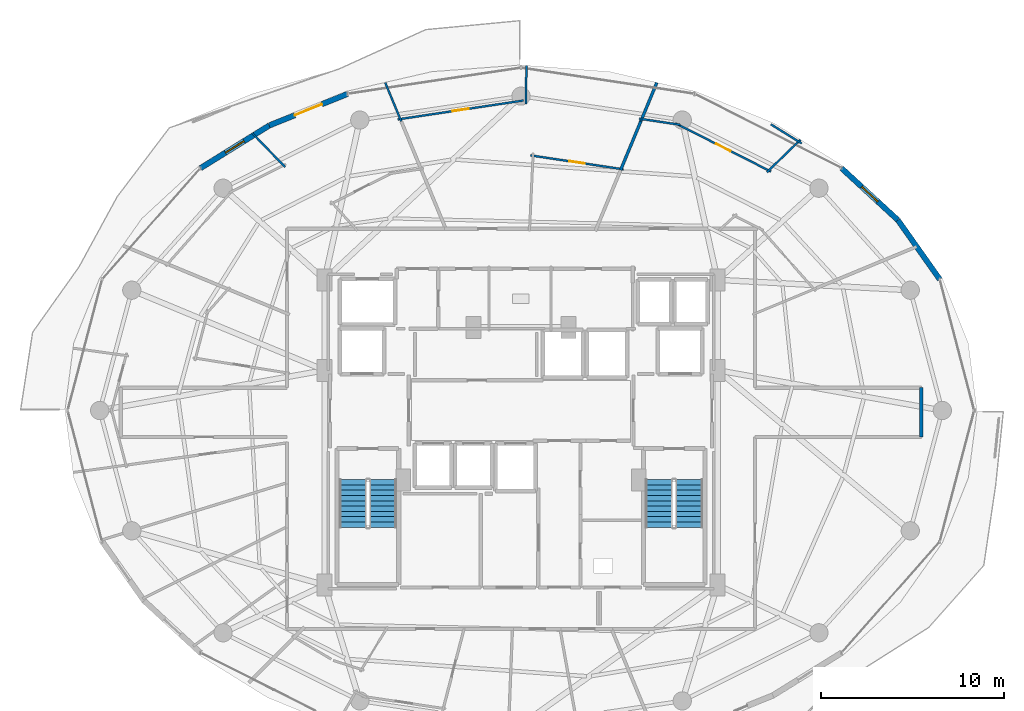
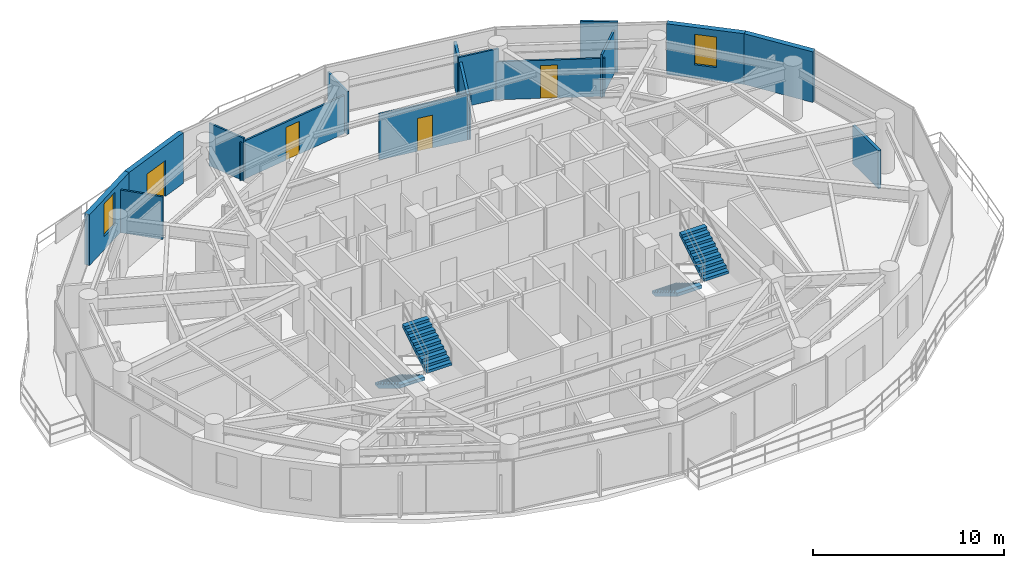
# One storey, part 25 of 29: 16 walls, 4 doors, 4 stair flights, 2 windows, 6 openings, 2 elements without a shape of their own.
"""IFC4 building model written with IfcOpenShell, lengths in metres."""

import ifcopenshell
import ifcopenshell.guid

model = None  # the IFC model being written
_history = None  # IfcOwnerHistory: only IFC2X3 demands one
_inside = {}  # id of a spatial element -> (the spatial element, [elements in it])
_under = {}  # id of a project, library or spatial element -> (it, [spatial elements below it])
_declared = {}  # id of a project -> (the project, [libraries it declares])
_typed = {}  # id of a type object -> (the type object, [elements of that type])
_made_of = {}  # id of a material, layer set ... -> (it, [elements and type objects made of it])


def new_model(schema):
    """Start an empty IFC model of exactly this schema.

    Asked for "IFC4X3", IfcOpenShell would pick the latest addendum, in which some entities
    have other attributes; the version numbers below select the first issue.
    IFC2X3 requires an IfcOwnerHistory on every rooted entity: one is made here for all.
    """
    global model, _history
    if schema == "IFC4X3":
        model = ifcopenshell.file(schema_version=(4, 3, 0, 0))
    else:
        model = ifcopenshell.file(schema=schema)
    _inside.clear()
    _under.clear()
    _declared.clear()
    _typed.clear()
    _made_of.clear()
    _history = None
    if model.schema == "IFC2X3":
        org = make("IfcOrganization", Name="unknown")
        user = make(
            "IfcPersonAndOrganization",
            ThePerson=make("IfcPerson", FamilyName="unknown"),
            TheOrganization=org,
        )
        app = make(
            "IfcApplication",
            ApplicationDeveloper=org,
            Version="unknown",
            ApplicationFullName="unknown",
            ApplicationIdentifier="unknown",
        )
        _history = make(
            "IfcOwnerHistory",
            OwningUser=user,
            OwningApplication=app,
            ChangeAction="ADDED",
            CreationDate=0,
        )
    return model


def make(cls, **values):
    """One entity of the class cls with the attributes given. An attribute that is None is left unset."""
    return model.create_entity(
        cls, **{name: value for name, value in values.items() if value is not None}
    )


def rooted(cls, **values):
    """An entity with a GlobalId (a new one), such as an element, a storey or a relation."""
    return make(cls, GlobalId=ifcopenshell.guid.new(), OwnerHistory=_history, **values)


def si_unit(unit_type, name, prefix=None):
    """IfcSIUnit, for example si_unit("LENGTHUNIT", "METRE", prefix="MILLI")."""
    return make("IfcSIUnit", UnitType=unit_type, Prefix=prefix, Name=name)


def assignment(units):
    """IfcUnitAssignment: the units of a project."""
    return None if units is None else make("IfcUnitAssignment", Units=units)


def point(xyz):
    """IfcCartesianPoint."""
    return None if xyz is None else make("IfcCartesianPoint", Coordinates=xyz)


def direction(xyz):
    """IfcDirection."""
    return None if xyz is None else make("IfcDirection", DirectionRatios=xyz)


def frame(location, z_axis=None, x_axis=None):
    """IfcAxis2Placement3D, a coordinate frame: its origin and axes. An axis left out is left unset."""
    return make(
        "IfcAxis2Placement3D",
        Location=point(location),
        Axis=direction(z_axis),
        RefDirection=direction(x_axis),
    )


def frame_2d(location, x_axis=None):
    """IfcAxis2Placement2D, a coordinate frame in the plane: its origin and x axis."""
    return make(
        "IfcAxis2Placement2D", Location=point(location), RefDirection=direction(x_axis)
    )


def origin():
    """The frame at (0, 0, 0) with its axes left unset."""
    return frame((0.0, 0.0, 0.0))


def place(relative_to, where):
    """IfcLocalPlacement: puts the frame where relative to a parent placement (None: the world)."""
    return make(
        "IfcLocalPlacement", PlacementRelTo=relative_to, RelativePlacement=where
    )


def context(
    kind, dimensions, precision=None, world=None, true_north=None, identifier=None
):
    """IfcGeometricRepresentationContext, for example the 3D "Model" context."""
    return make(
        "IfcGeometricRepresentationContext",
        ContextIdentifier=identifier,
        ContextType=kind,
        CoordinateSpaceDimension=dimensions,
        Precision=precision,
        WorldCoordinateSystem=world,
        TrueNorth=true_north,
    )


def subcontext(parent, identifier, kind, view, scale=None):
    """IfcGeometricRepresentationSubContext, for example "Body" below "Model"."""
    return make(
        "IfcGeometricRepresentationSubContext",
        ContextIdentifier=identifier,
        ContextType=kind,
        ParentContext=parent,
        TargetScale=scale,
        TargetView=view,
    )


def project(units=None, contexts=None):
    """IfcProject with its units and contexts."""
    return rooted(
        "IfcProject",
        Name="project",
        RepresentationContexts=contexts,
        UnitsInContext=assignment(units),
    )


def spatial(cls, under=None, at=None, **own):
    """A site, building, storey or space (cls), placed at a placement, below another one or the project."""
    s = rooted(cls, ObjectPlacement=at, **own)
    if under is not None:
        _under.setdefault(under.id(), (under, []))[1].append(s)
    return s


def polyline(points):
    """IfcPolyline through the points."""
    return make("IfcPolyline", Points=[point(p) for p in points])


def profile(cls, at=None, kind="AREA", **sizes):
    """A parametric profile (cls). Its sizes go by their IFC names, for example OverallWidth=200.0."""
    return make(cls, ProfileType=kind, Position=at, **sizes)


def rectangle(**sizes):
    """IfcRectangleProfileDef."""
    return profile("IfcRectangleProfileDef", **sizes)


def outline(outer, holes=None, kind="AREA"):
    """IfcArbitraryClosedProfileDef: a profile drawn as a closed curve; with holes, ...WithVoids."""
    if holes is None:
        return make("IfcArbitraryClosedProfileDef", ProfileType=kind, OuterCurve=outer)
    return make(
        "IfcArbitraryProfileDefWithVoids",
        ProfileType=kind,
        OuterCurve=outer,
        InnerCurves=holes,
    )


def extrude(swept, where, along, depth):
    """IfcExtrudedAreaSolid: the profile swept, set in the frame where, extruded along a direction by depth."""
    return make(
        "IfcExtrudedAreaSolid",
        SweptArea=swept,
        Position=where,
        ExtrudedDirection=direction(along),
        Depth=depth,
    )


def shape(context_of_items, identifier, shape_type, items):
    """IfcShapeRepresentation: the items that make up one representation, for example the "Body"."""
    return make(
        "IfcShapeRepresentation",
        ContextOfItems=context_of_items,
        RepresentationIdentifier=identifier,
        RepresentationType=shape_type,
        Items=items,
    )


def material(Name=None, Category=None):
    """IfcMaterial."""
    return make("IfcMaterial", Name=Name, Category=Category)


def layer(
    of_material, thickness, ventilated=None, Name=None, Category=None, Priority=None
):
    """IfcMaterialLayer: one layer of a wall or slab, of a material (None: an air gap)."""
    return make(
        "IfcMaterialLayer",
        Material=of_material,
        LayerThickness=thickness,
        IsVentilated=ventilated,
        Name=Name,
        Category=Category,
        Priority=Priority,
    )


def layer_set(layers, Name=None):
    """IfcMaterialLayerSet."""
    return make("IfcMaterialLayerSet", MaterialLayers=layers, LayerSetName=Name)


def made_of(thing, what):
    """Note that an element or type object is made of a material, layer set ...; save() writes the relation."""
    if what is not None:
        _made_of.setdefault(what.id(), (what, []))[1].append(thing)
    return thing


def type_object(cls, material=None, **own):
    """A type object (cls), such as IfcWallType, which elements share."""
    return made_of(rooted(cls, **own), material)


def element(
    cls,
    number,
    at=None,
    inside=None,
    cuts=None,
    type_object=None,
    material=None,
    context=None,
    identifier="Body",
    shape_type=None,
    held_by="IfcProductDefinitionShape",
    body=None,
    shapes=None,
    **own,
):
    """One element of the class cls, such as IfcWall. Its Tag is "e" and its number.

    at: its placement. inside: the storey or other place that contains it. cuts: it is an
    opening in that element (IfcRelVoidsElement). A single representation is given by context,
    identifier, shape_type and body (its items); several are given by shapes. held_by: the class
    of the entity that holds the representations. save() writes the other relations.
    """
    e = rooted(cls, Tag="e%d" % number, ObjectPlacement=at, **own)
    if body is not None:
        shapes = [shape(context, identifier, shape_type, body)]
    if shapes is not None:
        e.Representation = make(held_by, Representations=shapes)
    if inside is not None:
        _inside.setdefault(inside.id(), (inside, []))[1].append(e)
    if cuts is not None:
        rooted(
            "IfcRelVoidsElement", RelatingBuildingElement=cuts, RelatedOpeningElement=e
        )
    if type_object is not None:
        _typed.setdefault(type_object.id(), (type_object, []))[1].append(e)
    return made_of(e, material)


def fill(opening, filler):
    """IfcRelFillsElement: the door or window that sits in an opening."""
    return rooted(
        "IfcRelFillsElement",
        RelatingOpeningElement=opening,
        RelatedBuildingElement=filler,
    )


def aggregate(whole, parts):
    """IfcRelAggregates: a whole, such as a stair, and the parts it consists of."""
    return rooted("IfcRelAggregates", RelatingObject=whole, RelatedObjects=parts)


def save(model, path):
    """Write the relations noted so far, then the file.

    IfcRelAggregates (storeys below a building ...), IfcRelContainedInSpatialStructure (elements
    in a storey), IfcRelDefinesByType, IfcRelAssociatesMaterial and IfcRelDeclares: one each for
    every whole, place, type object, material and project.
    """
    for whole, parts in _under.values():
        aggregate(whole, parts)
    for where, things in _inside.values():
        rooted(
            "IfcRelContainedInSpatialStructure",
            RelatedElements=things,
            RelatingStructure=where,
        )
    for kind, things in _typed.values():
        rooted("IfcRelDefinesByType", RelatedObjects=things, RelatingType=kind)
    for what, things in _made_of.values():
        rooted("IfcRelAssociatesMaterial", RelatedObjects=things, RelatingMaterial=what)
    for by, libraries in _declared.values():
        rooted("IfcRelDeclares", RelatingContext=by, RelatedDefinitions=libraries)
    model.write(path)


model = new_model("IFC4")

# Units and contexts
model_context = context("Model", 3, precision=1e-05, world=origin(), true_north=direction((0.0, 1.0)))
body_context = subcontext(model_context, "Body", "Model", "MODEL_VIEW")
ifc_project = project(units=[si_unit("LENGTHUNIT", "METRE"), si_unit("AREAUNIT", "SQUARE_METRE"), si_unit("VOLUMEUNIT", "CUBIC_METRE"), si_unit("PLANEANGLEUNIT", "RADIAN"), si_unit("MASSUNIT", "GRAM", prefix="KILO")], contexts=[model_context])

# Site, building, storey
site_placement = place(None, origin())
site = spatial("IfcSite", under=ifc_project, at=site_placement, CompositionType="ELEMENT")
building_placement = place(site_placement, origin())
building = spatial("IfcBuilding", under=site, at=building_placement, Name="Vorneva Point Tower", CompositionType="ELEMENT")
storey_placement = place(building_placement, frame((0.0, 0.0, 167.60009765625)))
storey = spatial("IfcBuildingStorey", under=building, at=storey_placement, Name="L45", CompositionType="ELEMENT", Elevation=167.60009765625)

# Wall
ifc_material_1 = material(Name="Precast concrete B50 (C40/50)", Category="concrete")
ifc_layer_1 = layer(ifc_material_1, 0.300048828125)
ifc_layer_set_1 = layer_set([ifc_layer_1], Name="Precast concrete B50 (C40/50)")
wall_type_1 = type_object("IfcWallType", Name="WL-EXT-300", PredefinedType="STANDARD", material=ifc_layer_set_1)
wall_1_placement = place(storey_placement, frame((60.912109375, 33.17529296875, 0.0), z_axis=(0.0, 0.0, 1.0), x_axis=(-0.577269753207, 0.816553508371, 0.0)))
element("IfcWall", 1, at=wall_1_placement, inside=storey, type_object=wall_type_1, Name="L45 Pale-Metal Facade Spandrel Wall 02.1", PredefinedType="STANDARD", context=body_context, shape_type="SweptSolid", body=[
    extrude(rectangle(XDim=3.969970703125, YDim=0.300048828125, at=frame_2d((1.98486328125, 0.0))), origin(), (0.0, 0.0, 1.0), 3.239990234375),
])

# Wall, opening, window
wall_2_placement = place(storey_placement, frame((58.620361328125, 36.4169921875, 0.0), z_axis=(0.0, 0.0, 1.0), x_axis=(-0.735477154165, 0.677549522693, 0.0)))
wall_2 = element("IfcWall", 2, at=wall_2_placement, inside=storey, type_object=wall_type_1, Name="L45 Pale-Metal Facade Spandrel Wall 02.2", PredefinedType="STANDARD", context=body_context, shape_type="SweptSolid", body=[
    extrude(rectangle(XDim=4.193603515625, YDim=0.300048828125, at=frame_2d((2.0966796875, 0.0))), origin(), (0.0, 0.0, 1.0), 3.239990234375),
])
opening_1_placement = place(wall_2_placement, frame((1.496826171875, 0.0, 0.85009765625)))
opening_1 = element("IfcOpeningElement", 3, at=opening_1_placement, cuts=wall_2, Name="Opening W-04", PredefinedType="OPENING", context=body_context, shape_type="SweptSolid", body=[
    extrude(rectangle(XDim=1.199951171875, YDim=1.949951171875, at=frame_2d((0.60009765625, 0.97509765625))), frame((0.0, 0.1650390625, 0.0), z_axis=(0.0, -1.0, 0.0), x_axis=(1.0, 0.0, 0.0)), (0.0, 0.0, 1.0), 0.329833984375),
])
ifc_material_2 = material(Name="Double low-e laminated glass IGU", Category="glass")
window_type = type_object("IfcWindowType", Name="WN-RES-1200", PartitioningType="SINGLE_PANEL", PredefinedType="WINDOW", material=ifc_material_2)
window_1_placement = place(opening_1_placement, origin())
window_1 = element("IfcWindow", 4, at=window_1_placement, inside=storey, type_object=window_type, Name="L45 Dwelling Vision Window 01", OverallHeight=1.949951171875, OverallWidth=1.199951171875, PartitioningType="SINGLE_PANEL", PredefinedType="WINDOW", context=body_context, shape_type="SweptSolid", body=[
    extrude(rectangle(XDim=1.199951171875, YDim=1.949951171875, at=frame_2d((0.60009765625, 0.97509765625))), frame((0.0, 0.030029296875, 0.0), z_axis=(0.0, -1.0, 0.0), x_axis=(1.0, 0.0, 0.0)), (0.0, 0.0, 1.0), 0.06005859375),
])
fill(opening_1, window_1)

# Wall, opening, door
wall_3_placement = place(storey_placement, frame((28.509521484375, 43.32275390625, 0.0), z_axis=(0.0, 0.0, 1.0), x_axis=(-0.927156504392, -0.374674280359, 0.0)))
wall_3 = element("IfcWall", 5, at=wall_3_placement, inside=storey, type_object=wall_type_1, Name="L45 Pale-Metal Facade Spandrel Wall 06.1", PredefinedType="STANDARD", context=body_context, shape_type="SweptSolid", body=[
    extrude(rectangle(XDim=4.62451171875, YDim=0.300048828125, at=frame_2d((2.312255859375, 0.0))), origin(), (0.0, 0.0, 1.0), 3.239990234375),
])
opening_2_placement = place(wall_3_placement, frame((1.51220703125, 0.0, 0.0)))
opening_2 = element("IfcOpeningElement", 6, at=opening_2_placement, cuts=wall_3, Name="Opening BD-01", PredefinedType="OPENING", context=body_context, shape_type="SweptSolid", body=[
    extrude(rectangle(XDim=1.60009765625, YDim=2.300048828125, at=frame_2d((0.800048828125, 1.14990234375))), frame((0.0, 0.1650390625, 0.0), z_axis=(0.0, -1.0, 0.0), x_axis=(1.0, 0.0, 0.0)), (0.0, 0.0, 1.0), 0.329833984375),
])
ifc_material_3 = material(Name="Pale anodised aluminium", Category="aluminium")
door_type_1 = type_object("IfcDoorType", Name="DR-BAL-1600", OperationType="SLIDING_TO_LEFT", PredefinedType="DOOR", material=ifc_material_3)
door_1_placement = place(opening_2_placement, origin())
door_1 = element("IfcDoor", 7, at=door_1_placement, inside=storey, type_object=door_type_1, Name="L45 Balcony Terrace Access Door 06", OperationType="SLIDING_TO_LEFT", OverallHeight=2.300048828125, OverallWidth=1.60009765625, PredefinedType="DOOR", context=body_context, shape_type="SweptSolid", body=[
    extrude(rectangle(XDim=1.60009765625, YDim=2.300048828125, at=frame_2d((0.800048828125, 1.14990234375))), frame((0.0, 0.02490234375, 0.0), z_axis=(0.0, -1.0, 0.0), x_axis=(1.0, 0.0, 0.0)), (0.0, 0.0, 1.0), 0.050048828125),
])
fill(opening_2, door_1)

# Wall, opening, window
wall_4_placement = place(storey_placement, frame((24.221923828125, 41.590087890625, 0.0), z_axis=(0.0, 0.0, 1.0), x_axis=(-0.849721181976, -0.527232313977, 0.0)))
wall_4 = element("IfcWall", 8, at=wall_4_placement, inside=storey, type_object=wall_type_1, Name="L45 Pale-Metal Facade Spandrel Wall 06.2", PredefinedType="STANDARD", context=body_context, shape_type="SweptSolid", body=[
    extrude(rectangle(XDim=4.422607421875, YDim=0.300048828125, at=frame_2d((2.21142578125, 0.0))), origin(), (0.0, 0.0, 1.0), 3.239990234375),
])
opening_3_placement = place(wall_4_placement, frame((1.611328125, 0.0, 0.85009765625)))
opening_3 = element("IfcOpeningElement", 9, at=opening_3_placement, cuts=wall_4, Name="Opening W-04", PredefinedType="OPENING", context=body_context, shape_type="SweptSolid", body=[
    extrude(rectangle(XDim=1.199951171875, YDim=2.10009765625, at=frame_2d((0.60009765625, 1.050048828125))), frame((0.0, 0.1650390625, 0.0), z_axis=(0.0, -1.0, 0.0), x_axis=(1.0, 0.0, 0.0)), (0.0, 0.0, 1.0), 0.329833984375),
])
window_2_placement = place(opening_3_placement, origin())
window_2 = element("IfcWindow", 10, at=window_2_placement, inside=storey, type_object=window_type, Name="L45 Facade Window 06", OverallHeight=2.10009765625, OverallWidth=1.199951171875, PartitioningType="SINGLE_PANEL", PredefinedType="WINDOW", context=body_context, shape_type="SweptSolid", body=[
    extrude(rectangle(XDim=1.199951171875, YDim=2.10009765625, at=frame_2d((0.60009765625, 1.050048828125))), frame((0.0, 0.030029296875, 0.0), z_axis=(0.0, -1.0, 0.0), x_axis=(1.0, 0.0, 0.0)), (0.0, 0.0, 1.0), 0.06005859375),
])
fill(opening_3, window_2)

# Wall
ifc_material_4 = material(Name="Fire-rated acoustic gypsum stud partition", Category="gypsum")
ifc_layer_2 = layer(ifc_material_4, 0.110107421875)
ifc_layer_set_2 = layer_set([ifc_layer_2], Name="Fire-rated acoustic gypsum stud partition")
wall_type_2 = type_object("IfcWallType", Name="WL-PART-110", PredefinedType="PARTITIONING", material=ifc_layer_set_2)
wall_5_placement = place(storey_placement, frame((53.28564453125, 40.8125, 0.0), z_axis=(0.0, 0.0, 1.0), x_axis=(-0.718256654627, -0.69577825353, 0.0)))
element("IfcWall", 11, at=wall_5_placement, inside=storey, type_object=wall_type_2, Name="L45 Interior Partition 063", PredefinedType="PARTITIONING", context=body_context, shape_type="SweptSolid", body=[
    extrude(rectangle(XDim=2.55224609375, YDim=0.110107421875, at=frame_2d((1.276123046875, 0.0))), origin(), (0.0, 0.0, 1.0), 2.727783203125),
])

# Wall, opening, door
wall_6_placement = place(storey_placement, frame((51.677978515625, 39.07080078125, 0.0), z_axis=(0.0, 0.0, 1.0), x_axis=(-0.892519613246, 0.451008580818, 0.0)))
wall_6 = element("IfcWall", 12, at=wall_6_placement, inside=storey, type_object=wall_type_2, Name="L45 Interior Partition 064", PredefinedType="PARTITIONING", context=body_context, shape_type="SweptSolid", body=[
    extrude(rectangle(XDim=5.86083984375, YDim=0.110107421875, at=frame_2d((2.930419921875, 0.0))), origin(), (0.0, 0.0, 1.0), 2.431884765625),
])
opening_4_placement = place(wall_6_placement, frame((2.48046875, 0.0, 0.0)))
opening_4 = element("IfcOpeningElement", 13, at=opening_4_placement, cuts=wall_6, Name="Opening ID-01", PredefinedType="OPENING", context=body_context, shape_type="SweptSolid", body=[
    extrude(rectangle(XDim=0.89990234375, YDim=2.10009765625, at=frame_2d((0.449951171875, 1.050048828125))), frame((0.0, 0.06982421875, 0.0), z_axis=(0.0, -1.0, 0.0), x_axis=(1.0, 0.0, 0.0)), (0.0, 0.0, 1.0), 0.139892578125),
])
ifc_material_5 = material(Name="Engineered oak fire-rated door leaf", Category="wood")
door_type_2 = type_object("IfcDoorType", Name="DR-ROOM-900", OperationType="NOTDEFINED", PredefinedType="DOOR", material=ifc_material_5)
door_2_placement = place(opening_4_placement, origin())
door_2 = element("IfcDoor", 14, at=door_2_placement, inside=storey, type_object=door_type_2, Name="L45 Door Studio Apartment L45-01 / Kitchen L45-01", OperationType="SINGLE_SWING_RIGHT", OverallHeight=2.10009765625, OverallWidth=0.89990234375, PredefinedType="DOOR", context=body_context, shape_type="SweptSolid", body=[
    extrude(rectangle(XDim=0.89990234375, YDim=2.10009765625, at=frame_2d((0.449951171875, 1.050048828125))), frame((0.0, 0.02490234375, 0.0), z_axis=(0.0, -1.0, 0.0), x_axis=(1.0, 0.0, 0.0)), (0.0, 0.0, 1.0), 0.050048828125),
])
fill(opening_4, door_2)

# Walls
wall_7_placement = place(storey_placement, frame((46.71044921875, 41.630126953125, 0.0), z_axis=(0.0, 0.0, 1.0), x_axis=(-0.988930827604, 0.14837728335, 0.0)))
element("IfcWall", 15, at=wall_7_placement, inside=storey, type_object=wall_type_2, Name="L45 Interior Partition 065", PredefinedType="PARTITIONING", context=body_context, shape_type="SweptSolid", body=[
    extrude(rectangle(XDim=2.26904296875, YDim=0.110107421875, at=frame_2d((1.134521484375, 0.0))), origin(), (0.0, 0.0, 1.0), 3.239990234375),
])
wall_8_placement = place(storey_placement, frame((53.35498046875, 40.610107421875, 0.0), z_axis=(0.0, 0.0, 1.0), x_axis=(-0.8493331579, 0.527857165237, 0.0)))
element("IfcWall", 16, at=wall_8_placement, inside=storey, type_object=wall_type_2, Name="L45 Interior Partition 066", PredefinedType="PARTITIONING", context=body_context, shape_type="SweptSolid", body=[
    extrude(rectangle(XDim=1.97900390625, YDim=0.110107421875, at=frame_2d((0.989501953125, 0.0))), origin(), (0.0, 0.0, 1.0), 3.239990234375),
])

# Wall, opening, door
wall_9_placement = place(storey_placement, frame((38.5185546875, 39.957763671875, 0.0), z_axis=(0.0, 0.0, 1.0), x_axis=(0.988887618714, -0.14866498429, 0.0)))
wall_9 = element("IfcWall", 17, at=wall_9_placement, inside=storey, type_object=wall_type_2, Name="L45 Interior Partition 072", PredefinedType="PARTITIONING", context=body_context, shape_type="SweptSolid", body=[
    extrude(rectangle(XDim=5.14990234375, YDim=0.110107421875, at=frame_2d((2.574951171875, 0.0))), origin(), (0.0, 0.0, 1.0), 2.928955078125),
])
opening_5_placement = place(wall_9_placement, frame((2.14990234375, 0.0, 0.0)))
opening_5 = element("IfcOpeningElement", 18, at=opening_5_placement, cuts=wall_9, Name="Opening ID-02", PredefinedType="OPENING", context=body_context, shape_type="SweptSolid", body=[
    extrude(rectangle(XDim=0.85009765625, YDim=2.10009765625, at=frame_2d((0.425048828125, 1.050048828125))), frame((0.0, 0.06982421875, 0.0), z_axis=(0.0, -1.0, 0.0), x_axis=(1.0, 0.0, 0.0)), (0.0, 0.0, 1.0), 0.139892578125),
])
door_type_3 = type_object("IfcDoorType", Name="DR-BATH-850", OperationType="NOTDEFINED", PredefinedType="DOOR", material=ifc_material_5)
door_3_placement = place(opening_5_placement, origin())
door_3 = element("IfcDoor", 19, at=door_3_placement, inside=storey, type_object=door_type_3, Name="L45 Door Studio Apartment L45-02 / Bathroom L45-02", OperationType="SINGLE_SWING_LEFT", OverallHeight=2.10009765625, OverallWidth=0.85009765625, PredefinedType="DOOR", context=body_context, shape_type="SweptSolid", body=[
    extrude(rectangle(XDim=0.85009765625, YDim=2.10009765625, at=frame_2d((0.425048828125, 1.050048828125))), frame((0.0, 0.02490234375, 0.0), z_axis=(0.0, -1.0, 0.0), x_axis=(1.0, 0.0, 0.0)), (0.0, 0.0, 1.0), 0.050048828125),
])
fill(opening_5, door_3)

# Wall
wall_10_placement = place(storey_placement, frame((38.296142578125, 44.867919921875, 0.0), z_axis=(0.0, 0.0, 1.0), x_axis=(-0.015865503416, -0.99987413498, 0.0)))
element("IfcWall", 20, at=wall_10_placement, inside=storey, type_object=wall_type_2, Name="L45 Interior Partition 073", PredefinedType="PARTITIONING", context=body_context, shape_type="SweptSolid", body=[
    extrude(rectangle(XDim=2.108154296875, YDim=0.110107421875, at=frame_2d((1.05419921875, 0.0))), origin(), (0.0, 0.0, 1.0), 2.727783203125),
])

# Wall, opening, door
wall_11_placement = place(storey_placement, frame((38.138427734375, 42.960693359375, 0.0), z_axis=(0.0, 0.0, 1.0), x_axis=(-0.988870381513, -0.148779597275, 0.0)))
wall_11 = element("IfcWall", 21, at=wall_11_placement, inside=storey, type_object=wall_type_2, Name="L45 Interior Partition 074", PredefinedType="PARTITIONING", context=body_context, shape_type="SweptSolid", body=[
    extrude(rectangle(XDim=6.959228515625, YDim=0.110107421875, at=frame_2d((3.4794921875, 0.0))), origin(), (0.0, 0.0, 1.0), 2.431884765625),
])
opening_6_placement = place(wall_11_placement, frame((3.029541015625, 0.0, 0.0)))
opening_6 = element("IfcOpeningElement", 22, at=opening_6_placement, cuts=wall_11, Name="Opening ID-01", PredefinedType="OPENING", context=body_context, shape_type="SweptSolid", body=[
    extrude(rectangle(XDim=0.89990234375, YDim=2.10009765625, at=frame_2d((0.449951171875, 1.050048828125))), frame((0.0, 0.06982421875, 0.0), z_axis=(0.0, -1.0, 0.0), x_axis=(1.0, 0.0, 0.0)), (0.0, 0.0, 1.0), 0.139892578125),
])
door_4_placement = place(opening_6_placement, origin())
door_4 = element("IfcDoor", 23, at=door_4_placement, inside=storey, type_object=door_type_2, Name="L45 Door Studio Apartment L45-02 / Kitchen L45-02", OperationType="SINGLE_SWING_RIGHT", OverallHeight=2.10009765625, OverallWidth=0.89990234375, PredefinedType="DOOR", context=body_context, shape_type="SweptSolid", body=[
    extrude(rectangle(XDim=0.89990234375, YDim=2.10009765625, at=frame_2d((0.449951171875, 1.050048828125))), frame((0.0, 0.02490234375, 0.0), z_axis=(0.0, -1.0, 0.0), x_axis=(1.0, 0.0, 0.0)), (0.0, 0.0, 1.0), 0.050048828125),
])
fill(opening_6, door_4)

# Walls
wall_12_placement = place(storey_placement, frame((31.448486328125, 41.816650390625, 0.0), z_axis=(0.0, 0.0, 1.0), x_axis=(-0.382755897173, 0.923849513276, 0.0)))
element("IfcWall", 24, at=wall_12_placement, inside=storey, type_object=wall_type_2, Name="L45 Interior Partition 075", PredefinedType="PARTITIONING", context=body_context, shape_type="SweptSolid", body=[
    extrude(rectangle(XDim=2.29443359375, YDim=0.110107421875, at=frame_2d((1.147216796875, 0.0))), origin(), (0.0, 0.0, 1.0), 2.727783203125),
])
wall_13_placement = place(storey_placement, frame((23.294677734375, 41.174560546875, 0.0), z_axis=(0.0, 0.0, 1.0), x_axis=(0.695951614491, -0.718088678568, 0.0)))
element("IfcWall", 25, at=wall_13_placement, inside=storey, type_object=wall_type_2, Name="L45 Interior Partition 080", PredefinedType="PARTITIONING", context=body_context, shape_type="SweptSolid", body=[
    extrude(rectangle(XDim=2.591796875, YDim=0.110107421875, at=frame_2d((1.2958984375, 0.0))), origin(), (0.0, 0.0, 1.0), 2.727783203125),
])
ifc_layer_3 = layer(ifc_material_4, 0.159912109375)
ifc_layer_set_3 = layer_set([ifc_layer_3], Name="Fire-rated acoustic gypsum stud partition")
wall_type_3 = type_object("IfcWallType", Name="WL-PART-160", PredefinedType="PARTITIONING", material=ifc_layer_set_3)
wall_14_placement = place(storey_placement, frame((44.60498046875, 41.946044921875, 0.0), z_axis=(0.0, 0.0, 1.0), x_axis=(-0.382777783416, -0.923840445382, 0.0)))
element("IfcWall", 26, at=wall_14_placement, inside=storey, type_object=wall_type_3, Name="L45 Interior Partition 067", PredefinedType="PARTITIONING", context=body_context, shape_type="SweptSolid", body=[
    extrude(rectangle(XDim=3.02001953125, YDim=0.159912109375, at=frame_2d((1.510009765625, 0.0))), origin(), (0.0, 0.0, 1.0), 2.928955078125),
])
wall_15_placement = place(storey_placement, frame((45.4296875, 43.936279296875, 0.0), z_axis=(0.0, 0.0, 1.0), x_axis=(-0.382755897173, -0.923849513276, 0.0)))
element("IfcWall", 27, at=wall_15_placement, inside=storey, type_object=wall_type_3, Name="L45 Interior Partition 070", PredefinedType="PARTITIONING", context=body_context, shape_type="SweptSolid", body=[
    extrude(rectangle(XDim=2.29443359375, YDim=0.159912109375, at=frame_2d((1.147216796875, 0.0))), origin(), (0.0, 0.0, 1.0), 2.727783203125),
])
ifc_material_6 = material(Name="Autoclaved aerated concrete blockwork", Category="masonry")
ifc_layer_4 = layer(ifc_material_6, 0.179931640625)
ifc_layer_set_4 = layer_set([ifc_layer_4], Name="Autoclaved aerated concrete blockwork")
wall_type_4 = type_object("IfcWallType", Name="WL-PART-180", PredefinedType="PARTITIONING", material=ifc_layer_set_4)
wall_16_placement = place(storey_placement, frame((59.89990234375, 24.550048828125, 0.0), z_axis=(0.0, 0.0, 1.0), x_axis=(0.0, 1.0, 0.0)))
element("IfcWall", 28, at=wall_16_placement, inside=storey, type_object=wall_type_4, Name="L45 Interior Partition 056", PredefinedType="PARTITIONING", context=body_context, shape_type="SweptSolid", body=[
    extrude(rectangle(XDim=2.699951171875, YDim=0.179931640625, at=frame_2d((1.35009765625, 0.0))), origin(), (0.0, 0.0, 1.0), 2.431884765625),
])

# Stair, stair flights
ifc_material_7 = material(Name="Concrete B50 (C40/50)", Category="concrete")
stair_type = type_object("IfcStairType", Name="ST-DOG-1500", PredefinedType="HALF_TURN_STAIR", material=ifc_material_7)
stair_1_placement = place(storey_placement, origin())
stair_1 = element("IfcStair", 29, at=stair_1_placement, inside=storey, type_object=stair_type, Name="L45 ST1", PredefinedType="HALF_TURN_STAIR")
stair_flight_type = type_object("IfcStairFlightType", Name="STF-1500", PredefinedType="STRAIGHT", material=ifc_material_7)
stair_flight_1_placement = place(storey_placement, frame((28.800048828125, 22.219970703125, 0.0), z_axis=(0.0, 0.0, 1.0), x_axis=(0.0, -1.0, 0.0)))
stair_flight_1 = element("IfcStairFlight", 30, at=stair_flight_1_placement, type_object=stair_flight_type, Name="ST1 flight 1", NumberOfRisers=10, NumberOfTreads=9, PredefinedType="STRAIGHT", RiserHeight=0.175, TreadLength=0.29, context=body_context, shape_type="SweptSolid", body=[
    extrude(outline(polyline([(0.0, 0.0), (0.0, 0.175048828125), (0.2900390625, 0.175048828125), (0.2900390625, 0.35009765625), (0.580078125, 0.35009765625), (0.580078125, 0.52490234375), (0.8701171875, 0.52490234375), (0.8701171875, 0.699951171875), (1.159912109375, 0.699951171875), (1.159912109375, 0.875), (1.449951171875, 0.875), (1.449951171875, 1.050048828125), (1.739990234375, 1.050048828125), (1.739990234375, 1.22509765625), (2.030029296875, 1.22509765625), (2.030029296875, 1.39990234375), (2.320068359375, 1.39990234375), (2.320068359375, 1.574951171875), (2.610107421875, 1.574951171875), (2.610107421875, 1.75), (2.610107421875, 1.36474609375), (0.34814453125, 0.0), (0.0, 0.0)])), frame((0.0, 0.75, 0.0), z_axis=(0.0, -1.0, 0.0), x_axis=(1.0, 0.0, 0.0)), (0.0, 0.0, 1.0), 1.5),
])
stair_flight_2_placement = place(storey_placement, frame((30.449951171875, 19.610107421875, 1.75), z_axis=(0.0, 0.0, 1.0), x_axis=(0.0, 1.0, 0.0)))
stair_flight_2 = element("IfcStairFlight", 31, at=stair_flight_2_placement, type_object=stair_flight_type, Name="ST1 flight 2", NumberOfRisers=10, NumberOfTreads=9, PredefinedType="STRAIGHT", RiserHeight=0.175, TreadLength=0.29, context=body_context, shape_type="SweptSolid", body=[
    extrude(outline(polyline([(0.0, 0.0), (0.0, 0.175048828125), (0.2900390625, 0.175048828125), (0.2900390625, 0.35009765625), (0.580078125, 0.35009765625), (0.580078125, 0.52490234375), (0.8701171875, 0.52490234375), (0.8701171875, 0.699951171875), (1.159912109375, 0.699951171875), (1.159912109375, 0.875), (1.449951171875, 0.875), (1.449951171875, 1.050048828125), (1.739990234375, 1.050048828125), (1.739990234375, 1.22509765625), (2.030029296875, 1.22509765625), (2.030029296875, 1.39990234375), (2.320068359375, 1.39990234375), (2.320068359375, 1.574951171875), (2.610107421875, 1.574951171875), (2.610107421875, 1.75), (2.610107421875, 1.36474609375), (0.34814453125, 0.0), (0.0, 0.0)])), frame((0.0, 0.75, 0.0), z_axis=(0.0, -1.0, 0.0), x_axis=(1.0, 0.0, 0.0)), (0.0, 0.0, 1.0), 1.5),
])
aggregate(stair_1, [stair_flight_1, stair_flight_2])

stair_2_placement = place(storey_placement, origin())
stair_2 = element("IfcStair", 32, at=stair_2_placement, inside=storey, type_object=stair_type, Name="L45 ST2", PredefinedType="HALF_TURN_STAIR")
stair_flight_3_placement = place(storey_placement, frame((45.550048828125, 22.219970703125, 0.0), z_axis=(0.0, 0.0, 1.0), x_axis=(0.0, -1.0, 0.0)))
stair_flight_3 = element("IfcStairFlight", 33, at=stair_flight_3_placement, type_object=stair_flight_type, Name="ST2 flight 1", NumberOfRisers=10, NumberOfTreads=9, PredefinedType="STRAIGHT", RiserHeight=0.175, TreadLength=0.29, context=body_context, shape_type="SweptSolid", body=[
    extrude(outline(polyline([(0.0, 0.0), (0.0, 0.175048828125), (0.2900390625, 0.175048828125), (0.2900390625, 0.35009765625), (0.580078125, 0.35009765625), (0.580078125, 0.52490234375), (0.8701171875, 0.52490234375), (0.8701171875, 0.699951171875), (1.159912109375, 0.699951171875), (1.159912109375, 0.875), (1.449951171875, 0.875), (1.449951171875, 1.050048828125), (1.739990234375, 1.050048828125), (1.739990234375, 1.22509765625), (2.030029296875, 1.22509765625), (2.030029296875, 1.39990234375), (2.320068359375, 1.39990234375), (2.320068359375, 1.574951171875), (2.610107421875, 1.574951171875), (2.610107421875, 1.75), (2.610107421875, 1.36474609375), (0.34814453125, 0.0), (0.0, 0.0)])), frame((0.0, 0.75, 0.0), z_axis=(0.0, -1.0, 0.0), x_axis=(1.0, 0.0, 0.0)), (0.0, 0.0, 1.0), 1.5),
])
stair_flight_4_placement = place(storey_placement, frame((47.199951171875, 19.610107421875, 1.75), z_axis=(0.0, 0.0, 1.0), x_axis=(0.0, 1.0, 0.0)))
stair_flight_4 = element("IfcStairFlight", 34, at=stair_flight_4_placement, type_object=stair_flight_type, Name="ST2 flight 2", NumberOfRisers=10, NumberOfTreads=9, PredefinedType="STRAIGHT", RiserHeight=0.175, TreadLength=0.29, context=body_context, shape_type="SweptSolid", body=[
    extrude(outline(polyline([(0.0, 0.0), (0.0, 0.175048828125), (0.2900390625, 0.175048828125), (0.2900390625, 0.35009765625), (0.580078125, 0.35009765625), (0.580078125, 0.52490234375), (0.8701171875, 0.52490234375), (0.8701171875, 0.699951171875), (1.159912109375, 0.699951171875), (1.159912109375, 0.875), (1.449951171875, 0.875), (1.449951171875, 1.050048828125), (1.739990234375, 1.050048828125), (1.739990234375, 1.22509765625), (2.030029296875, 1.22509765625), (2.030029296875, 1.39990234375), (2.320068359375, 1.39990234375), (2.320068359375, 1.574951171875), (2.610107421875, 1.574951171875), (2.610107421875, 1.75), (2.610107421875, 1.36474609375), (0.34814453125, 0.0), (0.0, 0.0)])), frame((0.0, 0.75, 0.0), z_axis=(0.0, -1.0, 0.0), x_axis=(1.0, 0.0, 0.0)), (0.0, 0.0, 1.0), 1.5),
])
aggregate(stair_2, [stair_flight_3, stair_flight_4])

save(model, "model.ifc")
